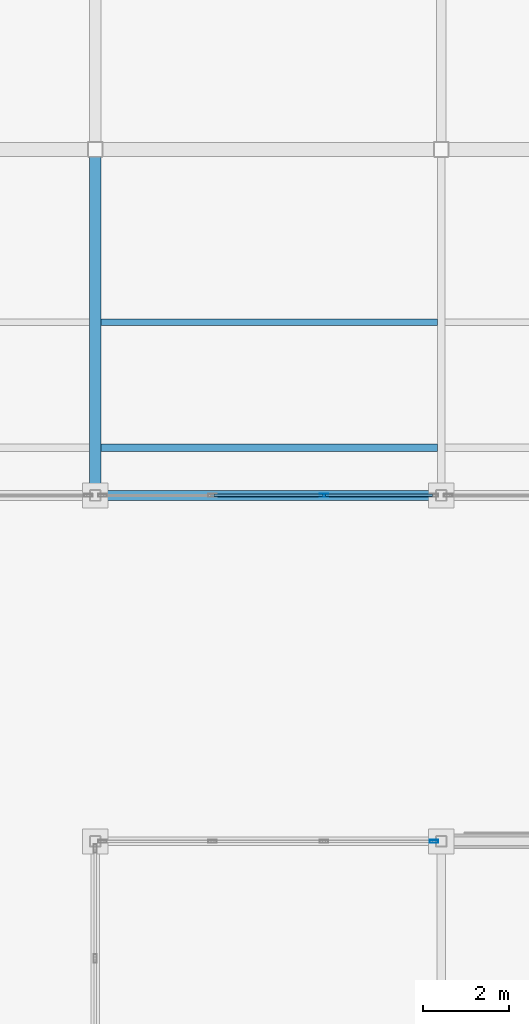
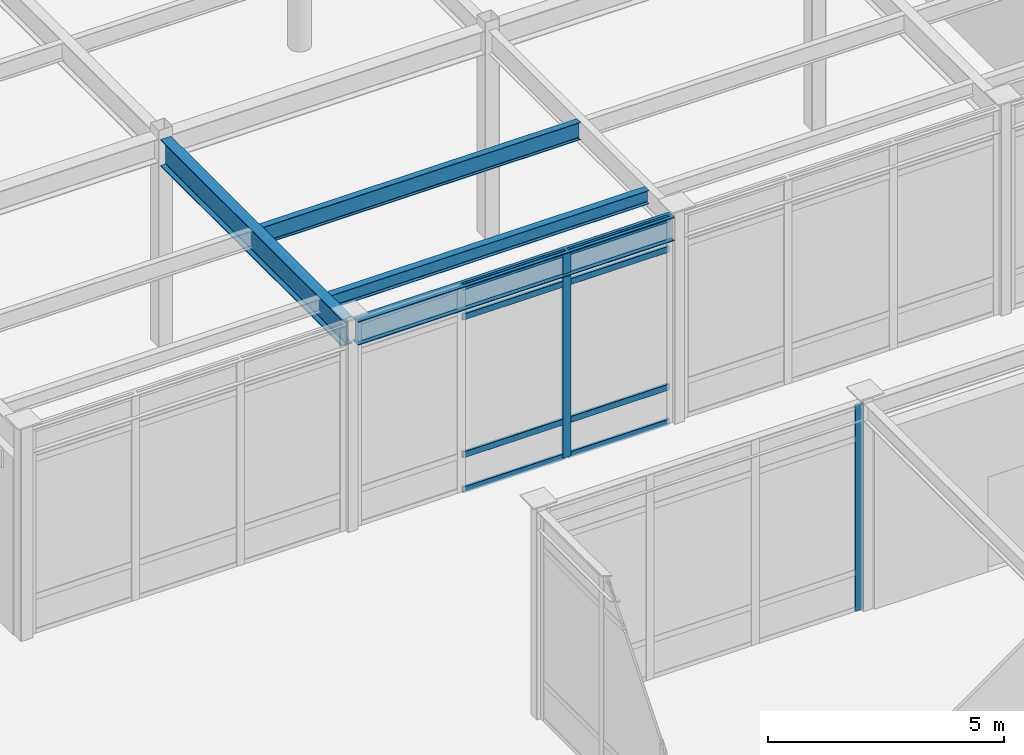
# One storey, part 61 of 128: 10 members, 4 beams, 2 elements without a shape of their own.
"""IFC4 building model written with IfcOpenShell, lengths in metres."""

from ifc_helpers import new_model, si_unit, direction, frame, origin, origin_2d, place, context, subcontext, project, spatial, hollow_rectangle, i_section, extrude, material, material_profile, profile_set, type_object, element, aggregate, save


model = new_model("IFC4")

# Units and contexts
model_context = context("Model", 3, precision=1e-05, world=origin(), true_north=direction((0.0, 1.0)))
body_context = subcontext(model_context, "Body", "Model", "MODEL_VIEW")
ifc_project = project(units=[si_unit("LENGTHUNIT", "METRE"), si_unit("AREAUNIT", "SQUARE_METRE"), si_unit("VOLUMEUNIT", "CUBIC_METRE"), si_unit("PLANEANGLEUNIT", "RADIAN"), si_unit("MASSUNIT", "GRAM", prefix="KILO")], contexts=[model_context])

# Site, building, storey
site_placement = place(None, origin())
site = spatial("IfcSite", under=ifc_project, at=site_placement, CompositionType="ELEMENT")
building_placement = place(site_placement, origin())
building = spatial("IfcBuilding", under=site, at=building_placement, Name="Solmirada Galleria", CompositionType="ELEMENT")
storey_placement = place(building_placement, origin())
storey = spatial("IfcBuildingStorey", under=building, at=storey_placement, Name="L00", CompositionType="ELEMENT", Elevation=0.0)

# Beams
ifc_material_1 = material(Name="Steel S355 / ASTM A992 Grade 50", Category="steel")
ifc_material_profile_1 = material_profile(ifc_material_1, i_section(OverallWidth=0.22900390625, OverallDepth=0.612060546875, WebThickness=0.011962890625, FlangeThickness=0.01953125, FilletRadius=0.014892578125, at=origin_2d()), Name="W24X84")
ifc_profile_set_1 = profile_set([ifc_material_profile_1], Name="Steel S355 / ASTM A992 Grade 50")
beam_type_1 = type_object("IfcBeamType", Name="BM-GIRD-W24B", PredefinedType="BEAM", material=ifc_profile_set_1)
beam_1_placement = place(storey_placement, frame((48.126953125, 72.0, 5.053955078125), z_axis=(1.0, 0.0, 0.0), x_axis=(0.0, 1.0, 0.0)))
element("IfcBeam", 1, at=beam_1_placement, inside=storey, type_object=beam_type_1, Name="Primary beam L01 X(48..56, 72)", PredefinedType="BEAM", context=body_context, shape_type="SweptSolid", body=[
    extrude(i_section(OverallWidth=0.22900390625, OverallDepth=0.612060546875, WebThickness=0.011962890625, FlangeThickness=0.01953125, FilletRadius=0.014892578125, at=origin_2d()), origin(), (0.0, 0.0, 1.0), 7.74609375),
])
ifc_material_profile_2 = material_profile(ifc_material_1, i_section(OverallWidth=0.256103515625, OverallDepth=0.693115234375, WebThickness=0.014404296875, FlangeThickness=0.023681640625, FilletRadius=0.01806640625, at=origin_2d()), Name="W27X114")
ifc_profile_set_2 = profile_set([ifc_material_profile_2], Name="Steel S355 / ASTM A992 Grade 50")
beam_type_2 = type_object("IfcBeamType", Name="BM-GIRD-W27A", PredefinedType="BEAM", material=ifc_profile_set_2)
beam_2_placement = place(storey_placement, frame((48.0, 72.126953125, 5.013427734375), z_axis=(0.0, 1.0, 0.0), x_axis=(-1.0, 0.0, 0.0)))
element("IfcBeam", 2, at=beam_2_placement, inside=storey, type_object=beam_type_2, Name="Primary girder L01 Y(48, 72..80)", PredefinedType="BEAM", context=body_context, shape_type="SweptSolid", body=[
    extrude(i_section(OverallWidth=0.256103515625, OverallDepth=0.693115234375, WebThickness=0.014404296875, FlangeThickness=0.023681640625, FilletRadius=0.01806640625, at=origin_2d()), origin(), (0.0, 0.0, 1.0), 7.695068359375),
])
ifc_material_profile_3 = material_profile(ifc_material_1, i_section(OverallWidth=0.1708984375, OverallDepth=0.35205078125, WebThickness=0.0068359375, FlangeThickness=0.009765625, FilletRadius=0.010986328125, at=origin_2d()), Name="W14X30")
ifc_profile_set_3 = profile_set([ifc_material_profile_3], Name="Steel S355 / ASTM A992 Grade 50")
beam_type_3 = type_object("IfcBeamType", Name="BM-JST-W14B", PredefinedType="JOIST", material=ifc_profile_set_3)
beam_3_placement = place(storey_placement, frame((48.1279296875, 73.10009765625, 5.18408203125), z_axis=(1.0, 0.0, 0.0), x_axis=(0.0, 1.0, 0.0)))
element("IfcBeam", 3, at=beam_3_placement, inside=storey, type_object=beam_type_3, Name="Terrace deck joist L01-TERR-NW X=48..56 (1)", PredefinedType="JOIST", context=body_context, shape_type="SweptSolid", body=[
    extrude(i_section(OverallWidth=0.1708984375, OverallDepth=0.35205078125, WebThickness=0.0068359375, FlangeThickness=0.009765625, FilletRadius=0.010986328125, at=origin_2d()), origin(), (0.0, 0.0, 1.0), 7.782958984375),
])
ifc_material_profile_4 = material_profile(ifc_material_1, i_section(OverallWidth=0.153076171875, OverallDepth=0.455078125, WebThickness=0.008056640625, FlangeThickness=0.01318359375, FilletRadius=0.011962890625, at=origin_2d()), Name="W18X40")
ifc_profile_set_4 = profile_set([ifc_material_profile_4], Name="Steel S355 / ASTM A992 Grade 50")
beam_type_4 = type_object("IfcBeamType", Name="BM-JST-W18A", PredefinedType="JOIST", material=ifc_profile_set_4)
beam_4_placement = place(storey_placement, frame((48.1279296875, 76.0, 5.132568359375), z_axis=(1.0, 0.0, 0.0), x_axis=(0.0, 1.0, 0.0)))
element("IfcBeam", 4, at=beam_4_placement, inside=storey, type_object=beam_type_4, Name="Composite floor joist L01 (48..56, 76.0)", PredefinedType="JOIST", context=body_context, shape_type="SweptSolid", body=[
    extrude(i_section(OverallWidth=0.153076171875, OverallDepth=0.455078125, WebThickness=0.008056640625, FlangeThickness=0.01318359375, FilletRadius=0.011962890625, at=origin_2d()), origin(), (0.0, 0.0, 1.0), 7.782958984375),
])

# Curtain wall, member
ifc_material_2 = material(Name="Impact-resistant low-E double glazing", Category="glass")
curtain_wall_type_1 = type_object("IfcCurtainWallType", Name="CW-FZ4-L00-B3-L077", PredefinedType="NOTDEFINED", material=ifc_material_2)
curtain_wall_1_placement = place(storey_placement, origin())
curtain_wall_1 = element("IfcCurtainWall", 5, at=curtain_wall_1_placement, inside=storey, type_object=curtain_wall_type_1, Name="Terrace and arcade storefront CW-L00-007", PredefinedType="NOTDEFINED")
ifc_material_3 = material(Name="Anodised aluminium framing", Category="aluminium")
ifc_material_profile_5 = material_profile(ifc_material_3, hollow_rectangle(XDim=0.070068359375, YDim=0.199951171875, WallThickness=0.004150390625, InnerFilletRadius=0.004150390625, OuterFilletRadius=0.00830078125, at=origin_2d()), Name="ALU-MULL-200X70")
ifc_profile_set_5 = profile_set([ifc_material_profile_5], Name="Anodised aluminium framing")
member_type_1 = type_object("IfcMemberType", Name="CW-MULL-200", PredefinedType="MULLION", material=ifc_profile_set_5)
member_1_placement = place(storey_placement, frame((53.290283203125, 72.0, 0.0), z_axis=(0.0, 0.0, 1.0), x_axis=(0.0, -1.0, 0.0)))
member_1 = element("IfcMember", 6, at=member_1_placement, type_object=member_type_1, Name="CW03 mullion 2", PredefinedType="MULLION", context=body_context, shape_type="SweptSolid", body=[
    extrude(hollow_rectangle(XDim=0.070068359375, YDim=0.199951171875, WallThickness=0.004150390625, InnerFilletRadius=0.004150390625, OuterFilletRadius=0.00830078125, at=origin_2d()), origin(), (0.0, 0.0, 1.0), 5.320068359375),
])

curtain_wall_type_2 = type_object("IfcCurtainWallType", Name="CW-FZ5-L00-B3-L077", PredefinedType="NOTDEFINED", material=ifc_material_2)
curtain_wall_2_placement = place(storey_placement, origin())
curtain_wall_2 = element("IfcCurtainWall", 7, at=curtain_wall_2_placement, inside=storey, type_object=curtain_wall_type_2, Name="Terrace and arcade storefront CW-L00-036", PredefinedType="NOTDEFINED")
member_2_placement = place(storey_placement, frame((55.8359375, 64.0, 0.0), z_axis=(0.0, 0.0, 1.0), x_axis=(0.0, 1.0, 0.0)))
member_2 = element("IfcMember", 8, at=member_2_placement, type_object=member_type_1, Name="CW08 mullion 4", PredefinedType="MULLION", context=body_context, shape_type="SweptSolid", body=[
    extrude(hollow_rectangle(XDim=0.070068359375, YDim=0.199951171875, WallThickness=0.004150390625, InnerFilletRadius=0.004150390625, OuterFilletRadius=0.00830078125, at=origin_2d()), origin(), (0.0, 0.0, 1.0), 5.320068359375),
])
aggregate(curtain_wall_2, [member_2])

# Member
ifc_material_profile_6 = material_profile(ifc_material_3, hollow_rectangle(XDim=0.06494140625, YDim=0.159912109375, WallThickness=0.00390625, InnerFilletRadius=0.00390625, OuterFilletRadius=0.007568359375, at=origin_2d()), Name="ALU-TRAN-160X65")
ifc_profile_set_6 = profile_set([ifc_material_profile_6], Name="Anodised aluminium framing")
member_type_2 = type_object("IfcMemberType", Name="CW-TRAN-160", PredefinedType="USERDEFINED", material=ifc_profile_set_6)
member_3_placement = place(storey_placement, frame((55.801025390625, 72.0, 0.032470703125), z_axis=(-1.0, 0.0, 0.0), x_axis=(0.0, -1.0, 0.0)))
member_3 = element("IfcMember", 9, at=member_3_placement, type_object=member_type_2, Name="CW03 transom 1.1", ObjectType="TRANSOM", PredefinedType="USERDEFINED", context=body_context, shape_type="SweptSolid", body=[
    extrude(hollow_rectangle(XDim=0.06494140625, YDim=0.159912109375, WallThickness=0.00390625, InnerFilletRadius=0.00390625, OuterFilletRadius=0.007568359375, at=origin_2d()), origin(), (0.0, 0.0, 1.0), 2.4755859375),
])

member_4_placement = place(storey_placement, frame((55.801025390625, 72.0, 0.93994140625), z_axis=(-1.0, 0.0, 0.0), x_axis=(0.0, -1.0, 0.0)))
member_4 = element("IfcMember", 10, at=member_4_placement, type_object=member_type_2, Name="CW03 transom 1.2", ObjectType="TRANSOM", PredefinedType="USERDEFINED", context=body_context, shape_type="SweptSolid", body=[
    extrude(hollow_rectangle(XDim=0.06494140625, YDim=0.159912109375, WallThickness=0.00390625, InnerFilletRadius=0.00390625, OuterFilletRadius=0.007568359375, at=origin_2d()), origin(), (0.0, 0.0, 1.0), 2.4755859375),
])

member_5_placement = place(storey_placement, frame((55.801025390625, 72.0, 4.510009765625), z_axis=(-1.0, 0.0, 0.0), x_axis=(0.0, -1.0, 0.0)))
member_5 = element("IfcMember", 11, at=member_5_placement, type_object=member_type_2, Name="CW03 transom 1.3", ObjectType="TRANSOM", PredefinedType="USERDEFINED", context=body_context, shape_type="SweptSolid", body=[
    extrude(hollow_rectangle(XDim=0.06494140625, YDim=0.159912109375, WallThickness=0.00390625, InnerFilletRadius=0.00390625, OuterFilletRadius=0.007568359375, at=origin_2d()), origin(), (0.0, 0.0, 1.0), 2.4755859375),
])

member_6_placement = place(storey_placement, frame((55.801025390625, 72.0, 5.28759765625), z_axis=(-1.0, 0.0, 0.0), x_axis=(0.0, -1.0, 0.0)))
member_6 = element("IfcMember", 12, at=member_6_placement, type_object=member_type_2, Name="CW03 transom 1.4", ObjectType="TRANSOM", PredefinedType="USERDEFINED", context=body_context, shape_type="SweptSolid", body=[
    extrude(hollow_rectangle(XDim=0.06494140625, YDim=0.159912109375, WallThickness=0.00390625, InnerFilletRadius=0.00390625, OuterFilletRadius=0.007568359375, at=origin_2d()), origin(), (0.0, 0.0, 1.0), 2.4755859375),
])

member_7_placement = place(storey_placement, frame((53.25537109375, 72.0, 0.032470703125), z_axis=(-1.0, 0.0, 0.0), x_axis=(0.0, -1.0, 0.0)))
member_7 = element("IfcMember", 13, at=member_7_placement, type_object=member_type_2, Name="CW03 transom 2.1", ObjectType="TRANSOM", PredefinedType="USERDEFINED", context=body_context, shape_type="SweptSolid", body=[
    extrude(hollow_rectangle(XDim=0.06494140625, YDim=0.159912109375, WallThickness=0.00390625, InnerFilletRadius=0.00390625, OuterFilletRadius=0.007568359375, at=origin_2d()), origin(), (0.0, 0.0, 1.0), 2.5107421875),
])

member_8_placement = place(storey_placement, frame((53.25537109375, 72.0, 0.93994140625), z_axis=(-1.0, 0.0, 0.0), x_axis=(0.0, -1.0, 0.0)))
member_8 = element("IfcMember", 14, at=member_8_placement, type_object=member_type_2, Name="CW03 transom 2.2", ObjectType="TRANSOM", PredefinedType="USERDEFINED", context=body_context, shape_type="SweptSolid", body=[
    extrude(hollow_rectangle(XDim=0.06494140625, YDim=0.159912109375, WallThickness=0.00390625, InnerFilletRadius=0.00390625, OuterFilletRadius=0.007568359375, at=origin_2d()), origin(), (0.0, 0.0, 1.0), 2.5107421875),
])

member_9_placement = place(storey_placement, frame((53.25537109375, 72.0, 4.510009765625), z_axis=(-1.0, 0.0, 0.0), x_axis=(0.0, -1.0, 0.0)))
member_9 = element("IfcMember", 15, at=member_9_placement, type_object=member_type_2, Name="CW03 transom 2.3", ObjectType="TRANSOM", PredefinedType="USERDEFINED", context=body_context, shape_type="SweptSolid", body=[
    extrude(hollow_rectangle(XDim=0.06494140625, YDim=0.159912109375, WallThickness=0.00390625, InnerFilletRadius=0.00390625, OuterFilletRadius=0.007568359375, at=origin_2d()), origin(), (0.0, 0.0, 1.0), 2.5107421875),
])

member_10_placement = place(storey_placement, frame((53.25537109375, 72.0, 5.28759765625), z_axis=(-1.0, 0.0, 0.0), x_axis=(0.0, -1.0, 0.0)))
member_10 = element("IfcMember", 16, at=member_10_placement, type_object=member_type_2, Name="CW03 transom 2.4", ObjectType="TRANSOM", PredefinedType="USERDEFINED", context=body_context, shape_type="SweptSolid", body=[
    extrude(hollow_rectangle(XDim=0.06494140625, YDim=0.159912109375, WallThickness=0.00390625, InnerFilletRadius=0.00390625, OuterFilletRadius=0.007568359375, at=origin_2d()), origin(), (0.0, 0.0, 1.0), 2.5107421875),
])

aggregate(curtain_wall_1, [member_1, member_3, member_4, member_5, member_6, member_7, member_8, member_9, member_10])

save(model, "model.ifc")
